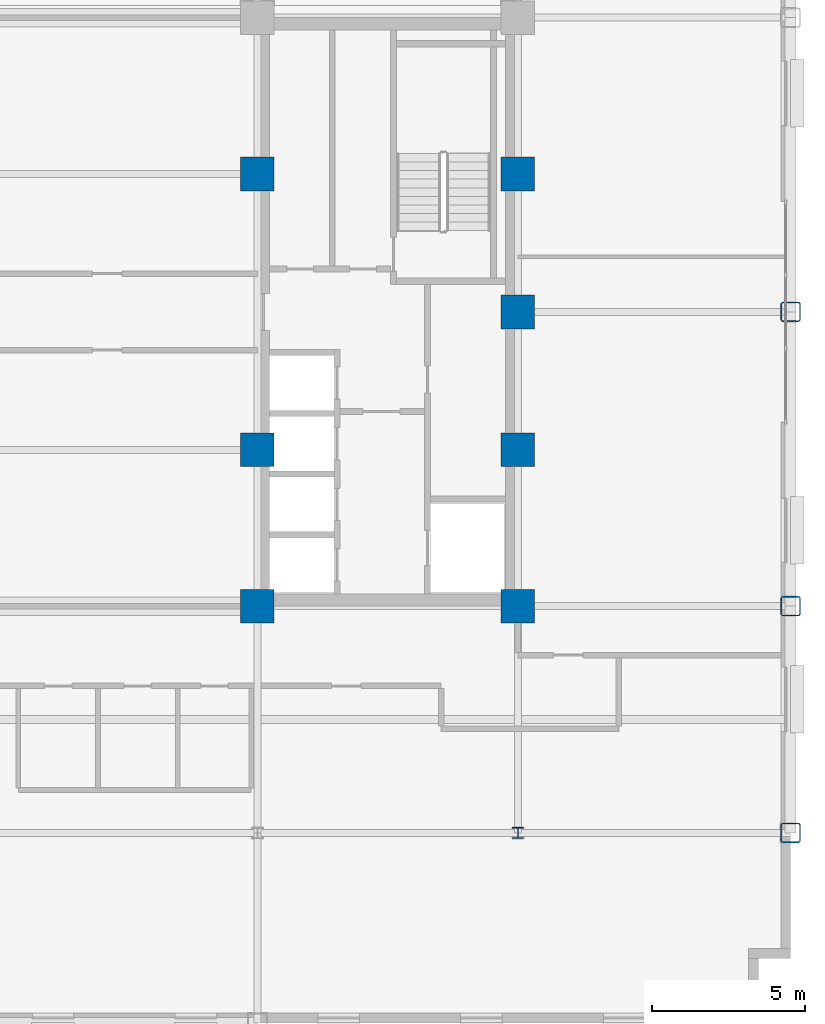
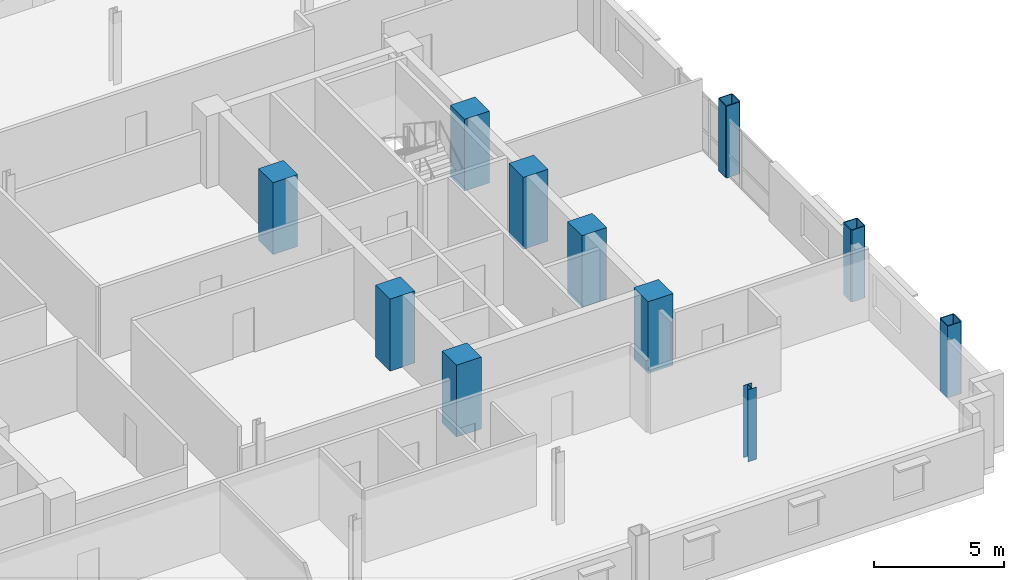
# One storey, part 2 of 17: 11 columns.
"""IFC4 building model written with IfcOpenShell, lengths in metres."""

import ifcopenshell
import ifcopenshell.guid

model = None  # the IFC model being written
_history = None  # IfcOwnerHistory: only IFC2X3 demands one
_inside = {}  # id of a spatial element -> (the spatial element, [elements in it])
_under = {}  # id of a project, library or spatial element -> (it, [spatial elements below it])
_declared = {}  # id of a project -> (the project, [libraries it declares])
_typed = {}  # id of a type object -> (the type object, [elements of that type])
_made_of = {}  # id of a material, layer set ... -> (it, [elements and type objects made of it])


def new_model(schema):
    """Start an empty IFC model of exactly this schema.

    Asked for "IFC4X3", IfcOpenShell would pick the latest addendum, in which some entities
    have other attributes; the version numbers below select the first issue.
    IFC2X3 requires an IfcOwnerHistory on every rooted entity: one is made here for all.
    """
    global model, _history
    if schema == "IFC4X3":
        model = ifcopenshell.file(schema_version=(4, 3, 0, 0))
    else:
        model = ifcopenshell.file(schema=schema)
    _inside.clear()
    _under.clear()
    _declared.clear()
    _typed.clear()
    _made_of.clear()
    _history = None
    if model.schema == "IFC2X3":
        org = make("IfcOrganization", Name="unknown")
        user = make(
            "IfcPersonAndOrganization",
            ThePerson=make("IfcPerson", FamilyName="unknown"),
            TheOrganization=org,
        )
        app = make(
            "IfcApplication",
            ApplicationDeveloper=org,
            Version="unknown",
            ApplicationFullName="unknown",
            ApplicationIdentifier="unknown",
        )
        _history = make(
            "IfcOwnerHistory",
            OwningUser=user,
            OwningApplication=app,
            ChangeAction="ADDED",
            CreationDate=0,
        )
    return model


def make(cls, **values):
    """One entity of the class cls with the attributes given. An attribute that is None is left unset."""
    return model.create_entity(
        cls, **{name: value for name, value in values.items() if value is not None}
    )


def rooted(cls, **values):
    """An entity with a GlobalId (a new one), such as an element, a storey or a relation."""
    return make(cls, GlobalId=ifcopenshell.guid.new(), OwnerHistory=_history, **values)


def si_unit(unit_type, name, prefix=None):
    """IfcSIUnit, for example si_unit("LENGTHUNIT", "METRE", prefix="MILLI")."""
    return make("IfcSIUnit", UnitType=unit_type, Prefix=prefix, Name=name)


def assignment(units):
    """IfcUnitAssignment: the units of a project."""
    return None if units is None else make("IfcUnitAssignment", Units=units)


def point(xyz):
    """IfcCartesianPoint."""
    return None if xyz is None else make("IfcCartesianPoint", Coordinates=xyz)


def direction(xyz):
    """IfcDirection."""
    return None if xyz is None else make("IfcDirection", DirectionRatios=xyz)


def frame(location, z_axis=None, x_axis=None):
    """IfcAxis2Placement3D, a coordinate frame: its origin and axes. An axis left out is left unset."""
    return make(
        "IfcAxis2Placement3D",
        Location=point(location),
        Axis=direction(z_axis),
        RefDirection=direction(x_axis),
    )


def frame_2d(location, x_axis=None):
    """IfcAxis2Placement2D, a coordinate frame in the plane: its origin and x axis."""
    return make(
        "IfcAxis2Placement2D", Location=point(location), RefDirection=direction(x_axis)
    )


def origin():
    """The frame at (0, 0, 0) with its axes left unset."""
    return frame((0.0, 0.0, 0.0))


def origin_2d():
    """The frame at (0, 0) in the plane with its x axis left unset."""
    return frame_2d((0.0, 0.0))


def place(relative_to, where):
    """IfcLocalPlacement: puts the frame where relative to a parent placement (None: the world)."""
    return make(
        "IfcLocalPlacement", PlacementRelTo=relative_to, RelativePlacement=where
    )


def context(
    kind, dimensions, precision=None, world=None, true_north=None, identifier=None
):
    """IfcGeometricRepresentationContext, for example the 3D "Model" context."""
    return make(
        "IfcGeometricRepresentationContext",
        ContextIdentifier=identifier,
        ContextType=kind,
        CoordinateSpaceDimension=dimensions,
        Precision=precision,
        WorldCoordinateSystem=world,
        TrueNorth=true_north,
    )


def subcontext(parent, identifier, kind, view, scale=None):
    """IfcGeometricRepresentationSubContext, for example "Body" below "Model"."""
    return make(
        "IfcGeometricRepresentationSubContext",
        ContextIdentifier=identifier,
        ContextType=kind,
        ParentContext=parent,
        TargetScale=scale,
        TargetView=view,
    )


def project(units=None, contexts=None):
    """IfcProject with its units and contexts."""
    return rooted(
        "IfcProject",
        Name="project",
        RepresentationContexts=contexts,
        UnitsInContext=assignment(units),
    )


def spatial(cls, under=None, at=None, **own):
    """A site, building, storey or space (cls), placed at a placement, below another one or the project."""
    s = rooted(cls, ObjectPlacement=at, **own)
    if under is not None:
        _under.setdefault(under.id(), (under, []))[1].append(s)
    return s


def profile(cls, at=None, kind="AREA", **sizes):
    """A parametric profile (cls). Its sizes go by their IFC names, for example OverallWidth=200.0."""
    return make(cls, ProfileType=kind, Position=at, **sizes)


def rectangle(**sizes):
    """IfcRectangleProfileDef."""
    return profile("IfcRectangleProfileDef", **sizes)


def hollow_rectangle(**sizes):
    """IfcRectangleHollowProfileDef."""
    return profile("IfcRectangleHollowProfileDef", **sizes)


def i_section(**sizes):
    """IfcIShapeProfileDef."""
    return profile("IfcIShapeProfileDef", **sizes)


def extrude(swept, where, along, depth):
    """IfcExtrudedAreaSolid: the profile swept, set in the frame where, extruded along a direction by depth."""
    return make(
        "IfcExtrudedAreaSolid",
        SweptArea=swept,
        Position=where,
        ExtrudedDirection=direction(along),
        Depth=depth,
    )


def shape(context_of_items, identifier, shape_type, items):
    """IfcShapeRepresentation: the items that make up one representation, for example the "Body"."""
    return make(
        "IfcShapeRepresentation",
        ContextOfItems=context_of_items,
        RepresentationIdentifier=identifier,
        RepresentationType=shape_type,
        Items=items,
    )


def material(Name=None, Category=None):
    """IfcMaterial."""
    return make("IfcMaterial", Name=Name, Category=Category)


def material_profile(
    of_material, cross_section, Name=None, Category=None, Priority=None
):
    """IfcMaterialProfile: a cross section and its material."""
    return make(
        "IfcMaterialProfile",
        Name=Name,
        Material=of_material,
        Profile=cross_section,
        Priority=Priority,
        Category=Category,
    )


def profile_set(profiles, Name=None, composite=None):
    """IfcMaterialProfileSet."""
    return make(
        "IfcMaterialProfileSet",
        Name=Name,
        MaterialProfiles=profiles,
        CompositeProfile=composite,
    )


def made_of(thing, what):
    """Note that an element or type object is made of a material, layer set ...; save() writes the relation."""
    if what is not None:
        _made_of.setdefault(what.id(), (what, []))[1].append(thing)
    return thing


def type_object(cls, material=None, **own):
    """A type object (cls), such as IfcWallType, which elements share."""
    return made_of(rooted(cls, **own), material)


def element(
    cls,
    number,
    at=None,
    inside=None,
    cuts=None,
    type_object=None,
    material=None,
    context=None,
    identifier="Body",
    shape_type=None,
    held_by="IfcProductDefinitionShape",
    body=None,
    shapes=None,
    **own,
):
    """One element of the class cls, such as IfcWall. Its Tag is "e" and its number.

    at: its placement. inside: the storey or other place that contains it. cuts: it is an
    opening in that element (IfcRelVoidsElement). A single representation is given by context,
    identifier, shape_type and body (its items); several are given by shapes. held_by: the class
    of the entity that holds the representations. save() writes the other relations.
    """
    e = rooted(cls, Tag="e%d" % number, ObjectPlacement=at, **own)
    if body is not None:
        shapes = [shape(context, identifier, shape_type, body)]
    if shapes is not None:
        e.Representation = make(held_by, Representations=shapes)
    if inside is not None:
        _inside.setdefault(inside.id(), (inside, []))[1].append(e)
    if cuts is not None:
        rooted(
            "IfcRelVoidsElement", RelatingBuildingElement=cuts, RelatedOpeningElement=e
        )
    if type_object is not None:
        _typed.setdefault(type_object.id(), (type_object, []))[1].append(e)
    return made_of(e, material)


def aggregate(whole, parts):
    """IfcRelAggregates: a whole, such as a stair, and the parts it consists of."""
    return rooted("IfcRelAggregates", RelatingObject=whole, RelatedObjects=parts)


def save(model, path):
    """Write the relations noted so far, then the file.

    IfcRelAggregates (storeys below a building ...), IfcRelContainedInSpatialStructure (elements
    in a storey), IfcRelDefinesByType, IfcRelAssociatesMaterial and IfcRelDeclares: one each for
    every whole, place, type object, material and project.
    """
    for whole, parts in _under.values():
        aggregate(whole, parts)
    for where, things in _inside.values():
        rooted(
            "IfcRelContainedInSpatialStructure",
            RelatedElements=things,
            RelatingStructure=where,
        )
    for kind, things in _typed.values():
        rooted("IfcRelDefinesByType", RelatedObjects=things, RelatingType=kind)
    for what, things in _made_of.values():
        rooted("IfcRelAssociatesMaterial", RelatedObjects=things, RelatingMaterial=what)
    for by, libraries in _declared.values():
        rooted("IfcRelDeclares", RelatingContext=by, RelatedDefinitions=libraries)
    model.write(path)


model = new_model("IFC4")

# Units and contexts
model_context = context("Model", 3, precision=1e-05, world=origin(), true_north=direction((0.0, 1.0)))
body_context = subcontext(model_context, "Body", "Model", "MODEL_VIEW")
ifc_project = project(units=[si_unit("LENGTHUNIT", "METRE"), si_unit("AREAUNIT", "SQUARE_METRE"), si_unit("VOLUMEUNIT", "CUBIC_METRE"), si_unit("PLANEANGLEUNIT", "RADIAN"), si_unit("MASSUNIT", "GRAM", prefix="KILO")], contexts=[model_context])

# Site, building, storey
site_placement = place(None, origin())
site = spatial("IfcSite", under=ifc_project, at=site_placement, CompositionType="ELEMENT")
building_placement = place(site_placement, origin())
building = spatial("IfcBuilding", under=site, at=building_placement, Name="Nuvemarco Arch Tower", CompositionType="ELEMENT")
storey_placement = place(building_placement, frame((0.0, 0.0, 120.199951171875)))
storey = spatial("IfcBuildingStorey", under=building, at=storey_placement, Name="L31", CompositionType="ELEMENT", Elevation=120.199951171875)

# Columns
ifc_material_1 = material(Name="Concrete C60/75", Category="concrete")
ifc_material_profile_1 = material_profile(ifc_material_1, rectangle(XDim=1.10009765625, YDim=1.10009765625, at=origin_2d()), Name="RC-COL-1100x1100")
ifc_profile_set_1 = profile_set([ifc_material_profile_1], Name="Concrete C60/75")
column_type_1 = type_object("IfcColumnType", Name="COL-CORE-1100", PredefinedType="COLUMN", material=ifc_profile_set_1)
for number, where, z_axis, x_axis, name in (
    (1, (9.0, -9.60009765625, 0.0), (0.0, 0.0, 1.0), (1.0, 0.0, 0.0), "L31 column CC_+9.0_-9.6"),
    (2, (9.0, -4.5, 0.0), (0.0, 0.0, 1.0), (1.0, 0.0, 0.0), "L31 column CC_+9.0_-4.5"),
    (3, (9.0, 4.5, 0.0), (0.0, 0.0, 1.0), (1.0, 0.0, 0.0), "L31 column CC_+9.0_+4.5"),
    (4, (17.5, -9.60009765625, 0.0), (0.0, 0.0, 1.0), (1.0, 0.0, 0.0), "L31 column CC_+17.5_-9.6"),
    (5, (17.5, -4.5, 0.0), (0.0, 0.0, 1.0), (1.0, 0.0, 0.0), "L31 column CC_+17.5_-4.5"),
    (6, (17.5, 4.5, 0.0), (0.0, 0.0, 1.0), (1.0, 0.0, 0.0), "L31 column CC_+17.5_+4.5"),
    (7, (17.5, 0.0, 0.0), (0.0, 0.0, 1.0), (1.0, 0.0, 0.0), "L31 column CC_+17.5_+0.0"),
):
    element("IfcColumn", number, at=place(storey_placement, frame(where, z_axis=z_axis, x_axis=x_axis)), inside=storey, type_object=column_type_1, Name=name, PredefinedType="COLUMN", context=body_context, shape_type="SweptSolid", body=[
        extrude(rectangle(XDim=1.10009765625, YDim=1.10009765625, at=origin_2d()), origin(), (0.0, 0.0, 1.0), 3.3701171875),
    ])
ifc_material_2 = material(Name="Steel S355", Category="steel")
ifc_material_profile_2 = material_profile(ifc_material_2, hollow_rectangle(XDim=0.64990234375, YDim=0.64990234375, WallThickness=0.0400390625, InnerFilletRadius=0.0400390625, OuterFilletRadius=0.080078125, at=origin_2d()), Name="SHS650x650x40")
ifc_profile_set_2 = profile_set([ifc_material_profile_2], Name="Steel S355")
column_type_2 = type_object("IfcColumnType", Name="COL-EXO-650", PredefinedType="COLUMN", material=ifc_profile_set_2)
for number, where, z_axis, x_axis, name in (
    (8, (26.39990234375, -17.0, 0.0), (0.0, 0.0, 1.0), (1.0, 0.0, 0.0), "L31 column CX_+26.4_-17.0"),
    (9, (26.39990234375, -9.60009765625, 0.0), (0.0, 0.0, 1.0), (1.0, 0.0, 0.0), "L31 column CX_+26.4_-9.6"),
    (10, (26.39990234375, 0.0, 0.0), (0.0, 0.0, 1.0), (1.0, 0.0, 0.0), "L31 column CX_+26.4_+0.0"),
):
    element("IfcColumn", number, at=place(storey_placement, frame(where, z_axis=z_axis, x_axis=x_axis)), inside=storey, type_object=column_type_2, Name=name, PredefinedType="COLUMN", context=body_context, shape_type="SweptSolid", body=[
        extrude(hollow_rectangle(XDim=0.64990234375, YDim=0.64990234375, WallThickness=0.0400390625, InnerFilletRadius=0.0400390625, OuterFilletRadius=0.080078125, at=origin_2d()), origin(), (0.0, 0.0, 1.0), 3.3701171875),
    ])
ifc_material_profile_3 = material_profile(ifc_material_2, i_section(OverallWidth=0.360107421875, OverallDepth=0.360107421875, WebThickness=0.0205078125, FlangeThickness=0.0205078125, FilletRadius=0.01806640625, at=origin_2d()), Name="HP360x174")
ifc_profile_set_3 = profile_set([ifc_material_profile_3], Name="Steel S355")
column_type_3 = type_object("IfcColumnType", Name="COL-STL-HP360", PredefinedType="COLUMN", material=ifc_profile_set_3)
column_placement = place(storey_placement, frame((17.5, -17.0, 0.0), z_axis=(0.0, 0.0, 1.0), x_axis=(1.0, 0.0, 0.0)))
element("IfcColumn", 11, at=column_placement, inside=storey, type_object=column_type_3, Name="L31 column CI_+17.5_-17.0", PredefinedType="COLUMN", context=body_context, shape_type="SweptSolid", body=[
    extrude(i_section(OverallWidth=0.360107421875, OverallDepth=0.360107421875, WebThickness=0.0205078125, FlangeThickness=0.0205078125, FilletRadius=0.01806640625, at=origin_2d()), origin(), (0.0, 0.0, 1.0), 3.3701171875),
])

save(model, "model.ifc")
